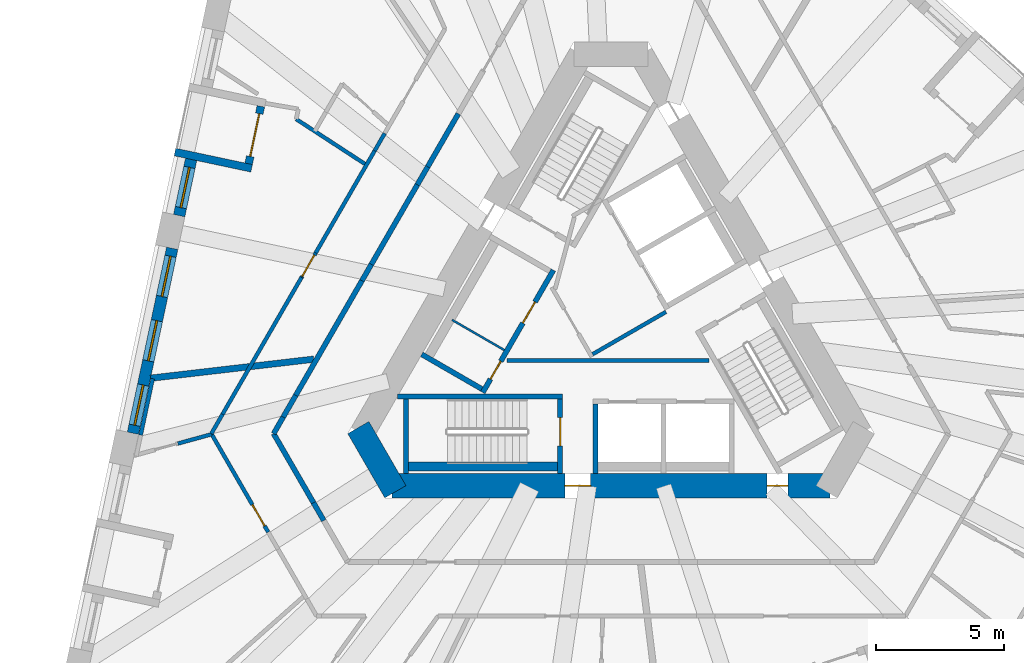
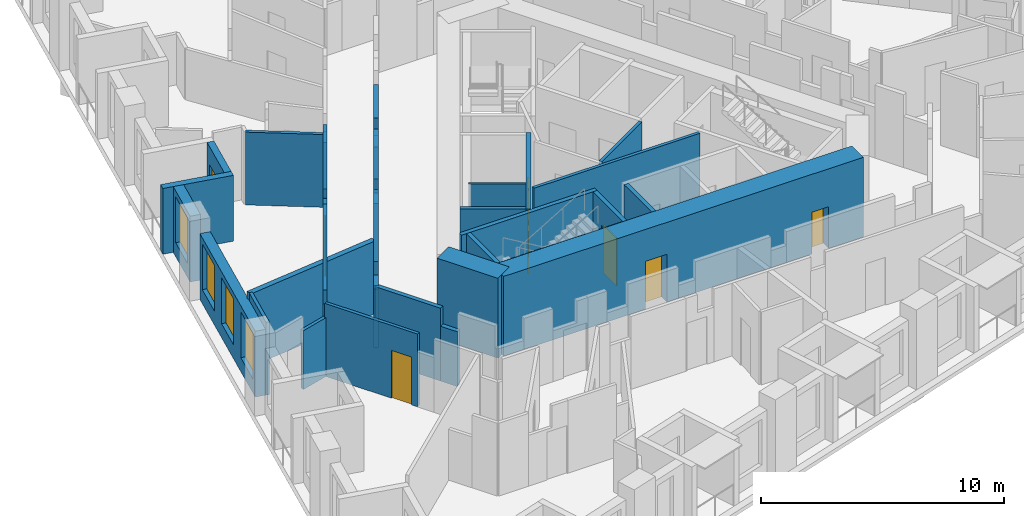
# One storey, part 4 of 13: 35 walls, 8 doors, 4 windows, 12 openings.
"""IFC4 building model written with IfcOpenShell, lengths in metres."""

import ifcopenshell
import ifcopenshell.guid

model = None  # the IFC model being written
_history = None  # IfcOwnerHistory: only IFC2X3 demands one
_inside = {}  # id of a spatial element -> (the spatial element, [elements in it])
_under = {}  # id of a project, library or spatial element -> (it, [spatial elements below it])
_declared = {}  # id of a project -> (the project, [libraries it declares])
_typed = {}  # id of a type object -> (the type object, [elements of that type])
_made_of = {}  # id of a material, layer set ... -> (it, [elements and type objects made of it])


def new_model(schema):
    """Start an empty IFC model of exactly this schema.

    Asked for "IFC4X3", IfcOpenShell would pick the latest addendum, in which some entities
    have other attributes; the version numbers below select the first issue.
    IFC2X3 requires an IfcOwnerHistory on every rooted entity: one is made here for all.
    """
    global model, _history
    if schema == "IFC4X3":
        model = ifcopenshell.file(schema_version=(4, 3, 0, 0))
    else:
        model = ifcopenshell.file(schema=schema)
    _inside.clear()
    _under.clear()
    _declared.clear()
    _typed.clear()
    _made_of.clear()
    _history = None
    if model.schema == "IFC2X3":
        org = make("IfcOrganization", Name="unknown")
        user = make(
            "IfcPersonAndOrganization",
            ThePerson=make("IfcPerson", FamilyName="unknown"),
            TheOrganization=org,
        )
        app = make(
            "IfcApplication",
            ApplicationDeveloper=org,
            Version="unknown",
            ApplicationFullName="unknown",
            ApplicationIdentifier="unknown",
        )
        _history = make(
            "IfcOwnerHistory",
            OwningUser=user,
            OwningApplication=app,
            ChangeAction="ADDED",
            CreationDate=0,
        )
    return model


def make(cls, **values):
    """One entity of the class cls with the attributes given. An attribute that is None is left unset."""
    return model.create_entity(
        cls, **{name: value for name, value in values.items() if value is not None}
    )


def rooted(cls, **values):
    """An entity with a GlobalId (a new one), such as an element, a storey or a relation."""
    return make(cls, GlobalId=ifcopenshell.guid.new(), OwnerHistory=_history, **values)


def si_unit(unit_type, name, prefix=None):
    """IfcSIUnit, for example si_unit("LENGTHUNIT", "METRE", prefix="MILLI")."""
    return make("IfcSIUnit", UnitType=unit_type, Prefix=prefix, Name=name)


def assignment(units):
    """IfcUnitAssignment: the units of a project."""
    return None if units is None else make("IfcUnitAssignment", Units=units)


def point(xyz):
    """IfcCartesianPoint."""
    return None if xyz is None else make("IfcCartesianPoint", Coordinates=xyz)


def direction(xyz):
    """IfcDirection."""
    return None if xyz is None else make("IfcDirection", DirectionRatios=xyz)


def frame(location, z_axis=None, x_axis=None):
    """IfcAxis2Placement3D, a coordinate frame: its origin and axes. An axis left out is left unset."""
    return make(
        "IfcAxis2Placement3D",
        Location=point(location),
        Axis=direction(z_axis),
        RefDirection=direction(x_axis),
    )


def frame_2d(location, x_axis=None):
    """IfcAxis2Placement2D, a coordinate frame in the plane: its origin and x axis."""
    return make(
        "IfcAxis2Placement2D", Location=point(location), RefDirection=direction(x_axis)
    )


def origin():
    """The frame at (0, 0, 0) with its axes left unset."""
    return frame((0.0, 0.0, 0.0))


def place(relative_to, where):
    """IfcLocalPlacement: puts the frame where relative to a parent placement (None: the world)."""
    return make(
        "IfcLocalPlacement", PlacementRelTo=relative_to, RelativePlacement=where
    )


def context(
    kind, dimensions, precision=None, world=None, true_north=None, identifier=None
):
    """IfcGeometricRepresentationContext, for example the 3D "Model" context."""
    return make(
        "IfcGeometricRepresentationContext",
        ContextIdentifier=identifier,
        ContextType=kind,
        CoordinateSpaceDimension=dimensions,
        Precision=precision,
        WorldCoordinateSystem=world,
        TrueNorth=true_north,
    )


def subcontext(parent, identifier, kind, view, scale=None):
    """IfcGeometricRepresentationSubContext, for example "Body" below "Model"."""
    return make(
        "IfcGeometricRepresentationSubContext",
        ContextIdentifier=identifier,
        ContextType=kind,
        ParentContext=parent,
        TargetScale=scale,
        TargetView=view,
    )


def project(units=None, contexts=None):
    """IfcProject with its units and contexts."""
    return rooted(
        "IfcProject",
        Name="project",
        RepresentationContexts=contexts,
        UnitsInContext=assignment(units),
    )


def spatial(cls, under=None, at=None, **own):
    """A site, building, storey or space (cls), placed at a placement, below another one or the project."""
    s = rooted(cls, ObjectPlacement=at, **own)
    if under is not None:
        _under.setdefault(under.id(), (under, []))[1].append(s)
    return s


def polyline(points):
    """IfcPolyline through the points."""
    return make("IfcPolyline", Points=[point(p) for p in points])


def profile(cls, at=None, kind="AREA", **sizes):
    """A parametric profile (cls). Its sizes go by their IFC names, for example OverallWidth=200.0."""
    return make(cls, ProfileType=kind, Position=at, **sizes)


def rectangle(**sizes):
    """IfcRectangleProfileDef."""
    return profile("IfcRectangleProfileDef", **sizes)


def outline(outer, holes=None, kind="AREA"):
    """IfcArbitraryClosedProfileDef: a profile drawn as a closed curve; with holes, ...WithVoids."""
    if holes is None:
        return make("IfcArbitraryClosedProfileDef", ProfileType=kind, OuterCurve=outer)
    return make(
        "IfcArbitraryProfileDefWithVoids",
        ProfileType=kind,
        OuterCurve=outer,
        InnerCurves=holes,
    )


def extrude(swept, where, along, depth):
    """IfcExtrudedAreaSolid: the profile swept, set in the frame where, extruded along a direction by depth."""
    return make(
        "IfcExtrudedAreaSolid",
        SweptArea=swept,
        Position=where,
        ExtrudedDirection=direction(along),
        Depth=depth,
    )


def shape(context_of_items, identifier, shape_type, items):
    """IfcShapeRepresentation: the items that make up one representation, for example the "Body"."""
    return make(
        "IfcShapeRepresentation",
        ContextOfItems=context_of_items,
        RepresentationIdentifier=identifier,
        RepresentationType=shape_type,
        Items=items,
    )


def material(Name=None, Category=None):
    """IfcMaterial."""
    return make("IfcMaterial", Name=Name, Category=Category)


def layer(
    of_material, thickness, ventilated=None, Name=None, Category=None, Priority=None
):
    """IfcMaterialLayer: one layer of a wall or slab, of a material (None: an air gap)."""
    return make(
        "IfcMaterialLayer",
        Material=of_material,
        LayerThickness=thickness,
        IsVentilated=ventilated,
        Name=Name,
        Category=Category,
        Priority=Priority,
    )


def layer_set(layers, Name=None):
    """IfcMaterialLayerSet."""
    return make("IfcMaterialLayerSet", MaterialLayers=layers, LayerSetName=Name)


def made_of(thing, what):
    """Note that an element or type object is made of a material, layer set ...; save() writes the relation."""
    if what is not None:
        _made_of.setdefault(what.id(), (what, []))[1].append(thing)
    return thing


def type_object(cls, material=None, **own):
    """A type object (cls), such as IfcWallType, which elements share."""
    return made_of(rooted(cls, **own), material)


def element(
    cls,
    number,
    at=None,
    inside=None,
    cuts=None,
    type_object=None,
    material=None,
    context=None,
    identifier="Body",
    shape_type=None,
    held_by="IfcProductDefinitionShape",
    body=None,
    shapes=None,
    **own,
):
    """One element of the class cls, such as IfcWall. Its Tag is "e" and its number.

    at: its placement. inside: the storey or other place that contains it. cuts: it is an
    opening in that element (IfcRelVoidsElement). A single representation is given by context,
    identifier, shape_type and body (its items); several are given by shapes. held_by: the class
    of the entity that holds the representations. save() writes the other relations.
    """
    e = rooted(cls, Tag="e%d" % number, ObjectPlacement=at, **own)
    if body is not None:
        shapes = [shape(context, identifier, shape_type, body)]
    if shapes is not None:
        e.Representation = make(held_by, Representations=shapes)
    if inside is not None:
        _inside.setdefault(inside.id(), (inside, []))[1].append(e)
    if cuts is not None:
        rooted(
            "IfcRelVoidsElement", RelatingBuildingElement=cuts, RelatedOpeningElement=e
        )
    if type_object is not None:
        _typed.setdefault(type_object.id(), (type_object, []))[1].append(e)
    return made_of(e, material)


def fill(opening, filler):
    """IfcRelFillsElement: the door or window that sits in an opening."""
    return rooted(
        "IfcRelFillsElement",
        RelatingOpeningElement=opening,
        RelatedBuildingElement=filler,
    )


def aggregate(whole, parts):
    """IfcRelAggregates: a whole, such as a stair, and the parts it consists of."""
    return rooted("IfcRelAggregates", RelatingObject=whole, RelatedObjects=parts)


def save(model, path):
    """Write the relations noted so far, then the file.

    IfcRelAggregates (storeys below a building ...), IfcRelContainedInSpatialStructure (elements
    in a storey), IfcRelDefinesByType, IfcRelAssociatesMaterial and IfcRelDeclares: one each for
    every whole, place, type object, material and project.
    """
    for whole, parts in _under.values():
        aggregate(whole, parts)
    for where, things in _inside.values():
        rooted(
            "IfcRelContainedInSpatialStructure",
            RelatedElements=things,
            RelatingStructure=where,
        )
    for kind, things in _typed.values():
        rooted("IfcRelDefinesByType", RelatedObjects=things, RelatingType=kind)
    for what, things in _made_of.values():
        rooted("IfcRelAssociatesMaterial", RelatedObjects=things, RelatingMaterial=what)
    for by, libraries in _declared.values():
        rooted("IfcRelDeclares", RelatingContext=by, RelatedDefinitions=libraries)
    model.write(path)


model = new_model("IFC4")

# Units and contexts
model_context = context("Model", 3, precision=1e-05, world=origin(), true_north=direction((0.0, 1.0)))
body_context = subcontext(model_context, "Body", "Model", "MODEL_VIEW")
ifc_project = project(units=[si_unit("LENGTHUNIT", "METRE"), si_unit("AREAUNIT", "SQUARE_METRE"), si_unit("VOLUMEUNIT", "CUBIC_METRE"), si_unit("PLANEANGLEUNIT", "RADIAN"), si_unit("MASSUNIT", "GRAM", prefix="KILO")], contexts=[model_context])

# Site, building, storey
site_placement = place(None, origin())
site = spatial("IfcSite", under=ifc_project, at=site_placement, CompositionType="ELEMENT")
building_placement = place(site_placement, origin())
building = spatial("IfcBuilding", under=site, at=building_placement, Name="Tramontana Tower", CompositionType="ELEMENT")
storey_placement = place(building_placement, frame((0.0, 0.0, 104.39990234375)))
storey = spatial("IfcBuildingStorey", under=building, at=storey_placement, Name="L23", CompositionType="ELEMENT", Elevation=104.39990234375)

# Wall
ifc_material_1 = material(Name="Concrete 70 MPa", Category="concrete")
ifc_layer_1 = layer(ifc_material_1, 0.949951171875)
ifc_layer_set_1 = layer_set([ifc_layer_1], Name="Core wall 950 70 MPa")
wall_type_1 = type_object("IfcWallType", Name="Core wall 950 70 MPa", PredefinedType="SHEAR", material=ifc_layer_set_1)
wall_1_placement = place(storey_placement, frame((-9.836669921875, -4.012451171875, 0.0), z_axis=(0.0, 0.0, 1.0), x_axis=(0.499995765644, -0.866027848477, 0.0)))
element("IfcWall", 1, at=wall_1_placement, inside=storey, type_object=wall_type_1, Name="Core wall C2 L23", PredefinedType="SHEAR", context=body_context, shape_type="SweptSolid", body=[
    extrude(rectangle(XDim=2.88671875, YDim=0.949951171875, at=frame_2d((1.443359375, 0.0))), origin(), (0.0, 0.0, 1.0), 4.0),
])

# Wall, openings, doors
wall_2_placement = place(storey_placement, frame((-8.530517578125, -6.27490234375, 0.0), z_axis=(0.0, 0.0, 1.0), x_axis=(1.0, 0.0, 0.0)))
wall_2 = element("IfcWall", 2, at=wall_2_placement, inside=storey, type_object=wall_type_1, Name="Core wall C3 L23", PredefinedType="SHEAR", context=body_context, shape_type="SweptSolid", body=[
    extrude(rectangle(XDim=17.06103515625, YDim=0.949951171875, at=frame_2d((8.530517578125, 0.0))), origin(), (0.0, 0.0, 1.0), 4.0),
])
opening_1_placement = place(wall_2_placement, frame((6.7353515625, 0.0, 0.0)))
opening_1 = element("IfcOpeningElement", 3, at=opening_1_placement, cuts=wall_2, Name="Opening RG2", PredefinedType="OPENING", context=body_context, shape_type="SweptSolid", body=[
    extrude(rectangle(XDim=1.0, YDim=2.39990234375, at=frame_2d((0.5, 1.199951171875))), frame((0.0, 0.48486328125, 0.0), z_axis=(0.0, -1.0, 0.0), x_axis=(1.0, 0.0, 0.0)), (0.0, 0.0, 1.0), 0.969970703125),
])
opening_2_placement = place(wall_2_placement, frame((14.61279296875, 0.0, 0.0)))
opening_2 = element("IfcOpeningElement", 4, at=opening_2_placement, cuts=wall_2, Name="Opening PD2", PredefinedType="OPENING", context=body_context, shape_type="SweptSolid", body=[
    extrude(rectangle(XDim=0.800048828125, YDim=2.10009765625, at=frame_2d((0.39990234375, 1.050048828125))), frame((0.0, 0.48486328125, 0.0), z_axis=(0.0, -1.0, 0.0), x_axis=(1.0, 0.0, 0.0)), (0.0, 0.0, 1.0), 0.969970703125),
])
ifc_material_2 = material(Name="Painted steel", Category="steel")
door_type_1 = type_object("IfcDoorType", Name="CUPBOARD DOOR 800", OperationType="SINGLE_SWING_LEFT", PredefinedType="DOOR", material=ifc_material_2)
door_1_placement = place(opening_2_placement, origin())
door_1 = element("IfcDoor", 5, at=door_1_placement, inside=storey, type_object=door_type_1, Name="Door PD2", OperationType="SINGLE_SWING_LEFT", OverallHeight=2.10009765625, OverallWidth=0.800048828125, PredefinedType="DOOR", context=body_context, shape_type="SweptSolid", body=[
    extrude(rectangle(XDim=0.800048828125, YDim=2.10009765625, at=frame_2d((0.39990234375, 1.050048828125))), frame((0.0, 0.02490234375, 0.0), z_axis=(0.0, -1.0, 0.0), x_axis=(1.0, 0.0, 0.0)), (0.0, 0.0, 1.0), 0.050048828125),
])
fill(opening_2, door_1)
ifc_material_3 = material(Name="Painted steel", Category="steel")
door_type_2 = type_object("IfcDoorType", Name="RING DOOR 1000", OperationType="SINGLE_SWING_LEFT", PredefinedType="DOOR", material=ifc_material_3)
door_2_placement = place(opening_1_placement, origin())
door_2 = element("IfcDoor", 6, at=door_2_placement, inside=storey, type_object=door_type_2, Name="Door RG2", OperationType="SINGLE_SWING_LEFT", OverallHeight=2.39990234375, OverallWidth=1.0, PredefinedType="DOOR", context=body_context, shape_type="SweptSolid", body=[
    extrude(rectangle(XDim=1.0, YDim=2.39990234375, at=frame_2d((0.5, 1.199951171875))), frame((0.0, 0.02490234375, 0.0), z_axis=(0.0, -1.0, 0.0), x_axis=(1.0, 0.0, 0.0)), (0.0, 0.0, 1.0), 0.050048828125),
])
fill(opening_1, door_2)

# Walls
ifc_material_4 = material(Name="Blockwork", Category="masonry")
ifc_layer_2 = layer(ifc_material_4, 0.199951171875)
ifc_layer_set_2 = layer_set([ifc_layer_2], Name="ENTRY WALL 200")
wall_type_2 = type_object("IfcWallType", Name="ENTRY WALL 200", PredefinedType="SOLIDWALL", material=ifc_layer_set_2)
wall_3_placement = place(storey_placement, frame((-11.181884765625, -7.63232421875, 0.0), z_axis=(0.0, 0.0, 1.0), x_axis=(-0.499942357345, 0.866058681229, 0.0)))
element("IfcWall", 7, at=wall_3_placement, inside=storey, type_object=wall_type_2, Name="Wall v21-ew3-2", PredefinedType="SOLIDWALL", context=body_context, shape_type="SweptSolid", body=[
    extrude(rectangle(XDim=0.80078125, YDim=0.199951171875, at=frame_2d((0.400390625, 0.0))), origin(), (0.0, 0.0, 1.0), 2.75),
])
wall_4_placement = place(storey_placement, frame((-11.582275390625, -6.938720703125, 0.0), z_axis=(0.0, 0.0, 1.0), x_axis=(-0.500037831766, 0.866003560503, 0.0)))
element("IfcWall", 8, at=wall_4_placement, inside=storey, type_object=wall_type_2, Name="Wall v21-ew3-3", PredefinedType="SOLIDWALL", context=body_context, shape_type="SweptSolid", body=[
    extrude(rectangle(XDim=3.104736328125, YDim=0.199951171875, at=frame_2d((1.55224609375, 0.0))), origin(), (0.0, 0.0, 1.0), 3.650146484375),
])
wall_5_placement = place(storey_placement, frame((-13.134765625, -4.25, 0.0), z_axis=(0.0, 0.0, 1.0), x_axis=(0.499987686533, 0.866032512851, 0.0)))
element("IfcWall", 9, at=wall_5_placement, inside=storey, type_object=wall_type_2, Name="Wall v21-ew4-0", PredefinedType="SOLIDWALL", context=body_context, shape_type="SweptSolid", body=[
    extrude(rectangle(XDim=0.74365234375, YDim=0.199951171875, at=frame_2d((0.371826171875, 0.0))), origin(), (0.0, 0.0, 1.0), 3.650146484375),
])
wall_6_placement = place(storey_placement, frame((-12.762939453125, -3.60595703125, 0.0), z_axis=(0.0, 0.0, 1.0), x_axis=(0.500061185694, 0.865990075325, 0.0)))
element("IfcWall", 10, at=wall_6_placement, inside=storey, type_object=wall_type_2, Name="Wall v21-ew4-1", PredefinedType="SOLIDWALL", context=body_context, shape_type="SweptSolid", body=[
    extrude(rectangle(XDim=0.9775390625, YDim=0.199951171875, at=frame_2d((0.48876953125, 0.0))), origin(), (0.0, 0.0, 1.0), 2.9501953125),
])
wall_7_placement = place(storey_placement, frame((-12.274169921875, -2.759521484375, 0.0), z_axis=(0.0, 0.0, 1.0), x_axis=(0.500001317485, 0.866024643133, 0.0)))
element("IfcWall", 11, at=wall_7_placement, inside=storey, type_object=wall_type_2, Name="Wall v21-ew4-2", PredefinedType="SOLIDWALL", context=body_context, shape_type="SweptSolid", body=[
    extrude(rectangle(XDim=5.1533203125, YDim=0.199951171875, at=frame_2d((2.57666015625, 0.0))), origin(), (0.0, 0.0, 1.0), 3.650146484375),
])
wall_8_placement = place(storey_placement, frame((-9.697509765625, 1.703369140625, 0.0), z_axis=(0.0, 0.0, 1.0), x_axis=(0.499885169746, 0.866091690913, 0.0)))
element("IfcWall", 12, at=wall_8_placement, inside=storey, type_object=wall_type_2, Name="Wall v21-ew4-3", PredefinedType="SOLIDWALL", context=body_context, shape_type="SweptSolid", body=[
    extrude(rectangle(XDim=0.736083984375, YDim=0.199951171875, at=frame_2d((0.3681640625, 0.0))), origin(), (0.0, 0.0, 1.0), 2.9501953125),
])
wall_9_placement = place(storey_placement, frame((-9.32958984375, 2.3408203125, 0.0), z_axis=(0.0, 0.0, 1.0), x_axis=(0.500029679218, 0.866008267802, 0.0)))
element("IfcWall", 13, at=wall_9_placement, inside=storey, type_object=wall_type_2, Name="Wall v21-ew4-4", PredefinedType="SOLIDWALL", context=body_context, shape_type="SweptSolid", body=[
    extrude(rectangle(XDim=3.576904296875, YDim=0.199951171875, at=frame_2d((1.78857421875, 0.0))), origin(), (0.0, 0.0, 1.0), 3.650146484375),
])
wall_10_placement = place(storey_placement, frame((-7.541015625, 5.4384765625, 0.0), z_axis=(0.0, 0.0, 1.0), x_axis=(0.499809598504, 0.866135304236, 0.0)))
element("IfcWall", 14, at=wall_10_placement, inside=storey, type_object=wall_type_2, Name="Wall v21-ew4-5", PredefinedType="SOLIDWALL", context=body_context, shape_type="SweptSolid", body=[
    extrude(rectangle(XDim=0.808349609375, YDim=0.199951171875, at=frame_2d((0.404296875, 0.0))), origin(), (0.0, 0.0, 1.0), 2.75),
])
wall_11_placement = place(storey_placement, frame((-7.136962890625, 6.138671875, 0.0), z_axis=(0.0, 0.0, 1.0), x_axis=(0.500035462246, 0.866004928679, 0.0)))
element("IfcWall", 15, at=wall_11_placement, inside=storey, type_object=wall_type_2, Name="Wall v21-ew4-6", PredefinedType="SOLIDWALL", context=body_context, shape_type="SweptSolid", body=[
    extrude(rectangle(XDim=2.385498046875, YDim=0.199951171875, at=frame_2d((1.19287109375, 0.0))), origin(), (0.0, 0.0, 1.0), 3.650146484375),
])

# Wall, opening, window
ifc_material_5 = material(Name="Precast concrete 60 MPa", Category="concrete")
ifc_layer_3 = layer(ifc_material_5, 0.449951171875)
ifc_layer_set_3 = layer_set([ifc_layer_3], Name="Precast concrete 60 MPa, 450 mm")
wall_type_3 = type_object("IfcWallType", Name="EW1 Stone-faced precast wall 450", PredefinedType="SOLIDWALL", material=ifc_layer_set_3)
wall_12_placement = place(storey_placement, frame((-16.34619140625, 6.42578125, 0.0), z_axis=(0.0, 0.0, 1.0), x_axis=(-0.207918801611, -0.978146089261, 0.0)))
wall_12 = element("IfcWall", 16, at=wall_12_placement, inside=storey, type_object=wall_type_3, Name="External wall L23 face 0 bay 3", PredefinedType="SOLIDWALL", context=body_context, shape_type="SweptSolid", body=[
    extrude(rectangle(XDim=2.23681640625, YDim=0.449951171875, at=frame_2d((1.118408203125, 0.0))), origin(), (0.0, 0.0, 1.0), 3.300048828125),
])
opening_3_placement = place(wall_12_placement, frame((0.318359375, 0.0, 0.699951171875)))
opening_3 = element("IfcOpeningElement", 17, at=opening_3_placement, cuts=wall_12, Name="Opening M1", PredefinedType="OPENING", context=body_context, shape_type="SweptSolid", body=[
    extrude(rectangle(XDim=1.60009765625, YDim=2.300048828125, at=frame_2d((0.800048828125, 1.14990234375))), frame((0.0, 0.23486328125, 0.0), z_axis=(0.0, -1.0, 0.0), x_axis=(1.0, 0.0, 0.0)), (0.0, 0.0, 1.0), 0.469970703125),
])
ifc_material_6 = material(Name="Aluminum frame, double glazing unit", Category="aluminium")
window_type = type_object("IfcWindowType", Name="M1 Window 1.6 x 2.3", PartitioningType="SINGLE_PANEL", PredefinedType="WINDOW", material=ifc_material_6)
window_1_placement = place(opening_3_placement, origin())
window_1 = element("IfcWindow", 18, at=window_1_placement, inside=storey, type_object=window_type, Name="Window M1 L23 face 0 module 9", OverallHeight=2.300048828125, OverallWidth=1.60009765625, PartitioningType="SINGLE_PANEL", PredefinedType="WINDOW", context=body_context, shape_type="SweptSolid", body=[
    extrude(rectangle(XDim=1.60009765625, YDim=2.300048828125, at=frame_2d((0.800048828125, 1.14990234375))), frame((0.0, 0.030029296875, 0.0), z_axis=(0.0, -1.0, 0.0), x_axis=(1.0, 0.0, 0.0)), (0.0, 0.0, 1.0), 0.06005859375),
])
fill(opening_3, window_1)

# Wall, openings, windows
wall_13_placement = place(storey_placement, frame((-17.08154296875, 2.96630859375, 0.0), z_axis=(0.0, 0.0, 1.0), x_axis=(-0.207909137741, -0.978148143403, 0.0)))
wall_13 = element("IfcWall", 19, at=wall_13_placement, inside=storey, type_object=wall_type_3, Name="External wall L23 face 0 bay 4", PredefinedType="SOLIDWALL", context=body_context, shape_type="SweptSolid", body=[
    extrude(rectangle(XDim=7.3603515625, YDim=0.449951171875, at=frame_2d((3.68017578125, 0.0))), origin(), (0.0, 0.0, 1.0), 3.300048828125),
])
opening_4_placement = place(wall_13_placement, frame((0.318359375, 0.0, 0.699951171875)))
opening_4 = element("IfcOpeningElement", 20, at=opening_4_placement, cuts=wall_13, Name="Opening M1", PredefinedType="OPENING", context=body_context, shape_type="SweptSolid", body=[
    extrude(rectangle(XDim=1.60009765625, YDim=2.300048828125, at=frame_2d((0.800048828125, 1.14990234375))), frame((0.0, 0.23486328125, 0.0), z_axis=(0.0, -1.0, 0.0), x_axis=(1.0, 0.0, 0.0)), (0.0, 0.0, 1.0), 0.469970703125),
])
opening_5_placement = place(wall_13_placement, frame((2.880126953125, 0.0, 0.699951171875)))
opening_5 = element("IfcOpeningElement", 21, at=opening_5_placement, cuts=wall_13, Name="Opening M1", PredefinedType="OPENING", context=body_context, shape_type="SweptSolid", body=[
    extrude(rectangle(XDim=1.60009765625, YDim=2.300048828125, at=frame_2d((0.800048828125, 1.14990234375))), frame((0.0, 0.23486328125, 0.0), z_axis=(0.0, -1.0, 0.0), x_axis=(1.0, 0.0, 0.0)), (0.0, 0.0, 1.0), 0.469970703125),
])
opening_6_placement = place(wall_13_placement, frame((5.44189453125, 0.0, 0.699951171875)))
opening_6 = element("IfcOpeningElement", 22, at=opening_6_placement, cuts=wall_13, Name="Opening M1", PredefinedType="OPENING", context=body_context, shape_type="SweptSolid", body=[
    extrude(rectangle(XDim=1.60009765625, YDim=2.300048828125, at=frame_2d((0.800048828125, 1.14990234375))), frame((0.0, 0.23486328125, 0.0), z_axis=(0.0, -1.0, 0.0), x_axis=(1.0, 0.0, 0.0)), (0.0, 0.0, 1.0), 0.469970703125),
])
window_2_placement = place(opening_4_placement, origin())
window_2 = element("IfcWindow", 23, at=window_2_placement, inside=storey, type_object=window_type, Name="Window M1 L23 face 0 module 10", OverallHeight=2.300048828125, OverallWidth=1.60009765625, PartitioningType="SINGLE_PANEL", PredefinedType="WINDOW", context=body_context, shape_type="SweptSolid", body=[
    extrude(rectangle(XDim=1.60009765625, YDim=2.300048828125, at=frame_2d((0.800048828125, 1.14990234375))), frame((0.0, 0.030029296875, 0.0), z_axis=(0.0, -1.0, 0.0), x_axis=(1.0, 0.0, 0.0)), (0.0, 0.0, 1.0), 0.06005859375),
])
fill(opening_4, window_2)
window_3_placement = place(opening_5_placement, origin())
window_3 = element("IfcWindow", 24, at=window_3_placement, inside=storey, type_object=window_type, Name="Window M1 L23 face 0 module 11", OverallHeight=2.300048828125, OverallWidth=1.60009765625, PartitioningType="SINGLE_PANEL", PredefinedType="WINDOW", context=body_context, shape_type="SweptSolid", body=[
    extrude(rectangle(XDim=1.60009765625, YDim=2.300048828125, at=frame_2d((0.800048828125, 1.14990234375))), frame((0.0, 0.030029296875, 0.0), z_axis=(0.0, -1.0, 0.0), x_axis=(1.0, 0.0, 0.0)), (0.0, 0.0, 1.0), 0.06005859375),
])
fill(opening_5, window_3)
window_4_placement = place(opening_6_placement, origin())
window_4 = element("IfcWindow", 25, at=window_4_placement, inside=storey, type_object=window_type, Name="Window M1 L23 face 0 module 12", OverallHeight=2.300048828125, OverallWidth=1.60009765625, PartitioningType="SINGLE_PANEL", PredefinedType="WINDOW", context=body_context, shape_type="SweptSolid", body=[
    extrude(rectangle(XDim=1.60009765625, YDim=2.300048828125, at=frame_2d((0.800048828125, 1.14990234375))), frame((0.0, 0.030029296875, 0.0), z_axis=(0.0, -1.0, 0.0), x_axis=(1.0, 0.0, 0.0)), (0.0, 0.0, 1.0), 0.06005859375),
])
fill(opening_6, window_4)

# Wall, opening, door
ifc_material_7 = material(Name="Precast concrete 60 MPa", Category="concrete")
ifc_layer_4 = layer(ifc_material_7, 0.300048828125)
ifc_layer_set_4 = layer_set([ifc_layer_4], Name="LW1 Stone-faced loggia wall 300")
wall_type_4 = type_object("IfcWallType", Name="LW1 Stone-faced loggia wall 300", PredefinedType="SOLIDWALL", material=ifc_layer_set_4)
wall_14_placement = place(storey_placement, frame((-13.632080078125, 8.493408203125, 0.0), z_axis=(0.0, 0.0, 1.0), x_axis=(-0.207866417042, -0.978157222877, 0.0)))
wall_14 = element("IfcWall", 26, at=wall_14_placement, inside=storey, type_object=wall_type_4, Name="Loggia wall L23 G2S0.7", PredefinedType="SOLIDWALL", context=body_context, shape_type="SweptSolid", body=[
    extrude(rectangle(XDim=2.286865234375, YDim=0.300048828125, at=frame_2d((1.1435546875, 0.0))), origin(), (0.0, 0.0, 1.0), 3.300048828125),
])
opening_7_placement = place(wall_14_placement, frame((0.29345703125, 0.0, 0.0)))
opening_7 = element("IfcOpeningElement", 27, at=opening_7_placement, cuts=wall_14, Name="Opening BD-2S0-07", PredefinedType="OPENING", context=body_context, shape_type="SweptSolid", body=[
    extrude(rectangle(XDim=1.699951171875, YDim=2.39990234375, at=frame_2d((0.85009765625, 1.199951171875))), frame((0.0, 0.159912109375, 0.0), z_axis=(0.0, -1.0, 0.0), x_axis=(1.0, 0.0, 0.0)), (0.0, 0.0, 1.0), 0.320068359375),
])
ifc_material_8 = material(Name="Aluminum frame, double glazing unit", Category="aluminium")
door_type_3 = type_object("IfcDoorType", Name="BD1 Sliding door 1.7 x 2.4", OperationType="SLIDING_TO_LEFT", PredefinedType="DOOR", material=ifc_material_8)
door_3_placement = place(opening_7_placement, origin())
door_3 = element("IfcDoor", 28, at=door_3_placement, inside=storey, type_object=door_type_3, Name="Loggia door L23 G2S0.7", OperationType="SLIDING_TO_LEFT", OverallHeight=2.39990234375, OverallWidth=1.699951171875, PredefinedType="DOOR", context=body_context, shape_type="SweptSolid", body=[
    extrude(rectangle(XDim=1.699951171875, YDim=2.39990234375, at=frame_2d((0.85009765625, 1.199951171875))), frame((0.0, 0.02490234375, 0.0), z_axis=(0.0, -1.0, 0.0), x_axis=(1.0, 0.0, 0.0)), (0.0, 0.0, 1.0), 0.050048828125),
])
fill(opening_7, door_3)

# Walls
wall_15_placement = place(storey_placement, frame((-16.975341796875, 6.712890625, 0.0), z_axis=(0.0, 0.0, 1.0), x_axis=(0.978138503145, -0.207954487003, 0.0)))
element("IfcWall", 29, at=wall_15_placement, inside=storey, type_object=wall_type_4, Name="Loggia return L23 G2S0.7b", PredefinedType="SOLIDWALL", context=body_context, shape_type="SweptSolid", body=[
    extrude(rectangle(XDim=3.050048828125, YDim=0.300048828125, at=frame_2d((1.52490234375, 0.0))), origin(), (0.0, 0.0, 1.0), 3.300048828125),
])
ifc_material_9 = material(Name="Gypsum board partition")
ifc_layer_5 = layer(ifc_material_9, 0.14990234375)
ifc_layer_set_5 = layer_set([ifc_layer_5], Name="PARTITION 150")
wall_type_5 = type_object("IfcWallType", Name="PARTITION 150", PredefinedType="PARTITIONING", material=ifc_layer_set_5)
wall_16_placement = place(storey_placement, frame((-0.716796875, -1.15869140625, 0.0), z_axis=(0.0, 0.0, 1.0), x_axis=(0.866008176907, 0.50002983664, 0.0)))
element("IfcWall", 30, at=wall_16_placement, inside=storey, type_object=wall_type_5, Name="Wall ff-end0", PredefinedType="PARTITIONING", context=body_context, shape_type="SweptSolid", body=[
    extrude(rectangle(XDim=3.300048828125, YDim=0.14990234375, at=frame_2d((1.64990234375, 0.0))), origin(), (0.0, 0.0, 1.0), 3.650146484375),
])
wall_17_placement = place(storey_placement, frame((-4.053466796875, -1.39990234375, 0.0), z_axis=(0.0, 0.0, 1.0), x_axis=(1.0, 0.0, 0.0)))
element("IfcWall", 31, at=wall_17_placement, inside=storey, type_object=wall_type_5, Name="Wall hub-cut1", PredefinedType="PARTITIONING", context=body_context, shape_type="SweptSolid", body=[
    extrude(rectangle(XDim=7.8759765625, YDim=0.14990234375, at=frame_2d((3.93798828125, 0.0))), origin(), (0.0, 0.0, 1.0), 3.650146484375),
])
wall_18_placement = place(storey_placement, frame((-18.310546875, -4.30712890625, 0.0), z_axis=(0.0, 0.0, 1.0), x_axis=(0.207888648925, 0.978152498156, 0.0)))
element("IfcWall", 32, at=wall_18_placement, inside=storey, type_object=wall_type_5, Name="Wall v21-pw01-1", PredefinedType="PARTITIONING", context=body_context, shape_type="SweptSolid", body=[
    extrude(rectangle(XDim=2.24658203125, YDim=0.14990234375, at=frame_2d((1.123291015625, 0.0))), origin(), (0.0, 0.0, 1.0), 3.650146484375),
])
wall_19_placement = place(storey_placement, frame((-15.5595703125, -4.25, 0.0), z_axis=(0.0, 0.0, 1.0), x_axis=(0.499884524299, 0.866092063448, 0.0)))
element("IfcWall", 33, at=wall_19_placement, inside=storey, type_object=wall_type_5, Name="Wall v21-pw02-0", PredefinedType="PARTITIONING", context=body_context, shape_type="SweptSolid", body=[
    extrude(rectangle(XDim=0.869384765625, YDim=0.14990234375, at=frame_2d((0.4345703125, 0.0))), origin(), (0.0, 0.0, 1.0), 2.9501953125),
])
wall_20_placement = place(storey_placement, frame((-15.125, -3.4970703125, 0.0), z_axis=(0.0, 0.0, 1.0), x_axis=(0.50000522762, 0.866022385595, 0.0)))
element("IfcWall", 34, at=wall_20_placement, inside=storey, type_object=wall_type_5, Name="Wall v21-pw02-1", PredefinedType="PARTITIONING", context=body_context, shape_type="SweptSolid", body=[
    extrude(rectangle(XDim=6.1533203125, YDim=0.14990234375, at=frame_2d((3.07666015625, 0.0))), origin(), (0.0, 0.0, 1.0), 3.650146484375),
])

# Wall, opening, door
wall_21_placement = place(storey_placement, frame((-12.04833984375, 1.831787109375, 0.0), z_axis=(0.0, 0.0, 1.0), x_axis=(0.500060373128, 0.865990544537, 0.0)))
wall_21 = element("IfcWall", 35, at=wall_21_placement, inside=storey, type_object=wall_type_5, Name="Wall v21-pw02-2", PredefinedType="PARTITIONING", context=body_context, shape_type="SweptSolid", body=[
    extrude(outline(polyline([(0.0, 0.0), (1.104736328125, 0.0), (1.10498046875, 2.9501953125), (0.395263671875, 2.9501953125), (0.395263671875, 3.650146484375), (0.0, 3.650146484375), (0.0, 0.0)])), frame((0.0, 0.074951171875, 0.0), z_axis=(0.0, -1.0, 0.0), x_axis=(1.0, 0.0, 0.0)), (0.0, 0.0, 1.0), 0.14990234375),
])
opening_8_placement = place(wall_21_placement, frame((0.050048828125, 0.0, 0.0)))
opening_8 = element("IfcOpeningElement", 36, at=opening_8_placement, cuts=wall_21, Name="Opening B2B-07", PredefinedType="OPENING", context=body_context, shape_type="SweptSolid", body=[
    extrude(rectangle(XDim=0.949951171875, YDim=2.39990234375, at=frame_2d((0.47509765625, 1.199951171875))), frame((0.0, 0.0849609375, 0.0), z_axis=(0.0, -1.0, 0.0), x_axis=(1.0, 0.0, 0.0)), (0.0, 0.0, 1.0), 0.169921875),
])
ifc_material_10 = material(Name="Painted timber", Category="wood")
door_type_4 = type_object("IfcDoorType", Name="DOOR ROOM 950", OperationType="SINGLE_SWING_LEFT", PredefinedType="DOOR", material=ifc_material_10)
door_4_placement = place(opening_8_placement, origin())
door_4 = element("IfcDoor", 37, at=door_4_placement, inside=storey, type_object=door_type_4, Name="Door B2B-07", OperationType="SINGLE_SWING_LEFT", OverallHeight=2.39990234375, OverallWidth=0.949951171875, PredefinedType="DOOR", context=body_context, shape_type="SweptSolid", body=[
    extrude(rectangle(XDim=0.949951171875, YDim=2.39990234375, at=frame_2d((0.47509765625, 1.199951171875))), frame((0.0, 0.02490234375, 0.0), z_axis=(0.0, -1.0, 0.0), x_axis=(1.0, 0.0, 0.0)), (0.0, 0.0, 1.0), 0.050048828125),
])
fill(opening_8, door_4)

# Walls
wall_22_placement = place(storey_placement, frame((-11.495849609375, 2.78857421875, 0.0), z_axis=(0.0, 0.0, 1.0), x_axis=(0.499983361514, 0.866035009806, 0.0)))
element("IfcWall", 38, at=wall_22_placement, inside=storey, type_object=wall_type_5, Name="Wall v21-pw02-3", PredefinedType="PARTITIONING", context=body_context, shape_type="SweptSolid", body=[
    extrude(rectangle(XDim=4.590087890625, YDim=0.14990234375, at=frame_2d((2.294921875, 0.0))), origin(), (0.0, 0.0, 1.0), 3.650146484375),
])
wall_23_placement = place(storey_placement, frame((-9.200927734375, 6.763671875, 0.0), z_axis=(0.0, 0.0, 1.0), x_axis=(0.500028278809, 0.866009076391, 0.0)))
element("IfcWall", 39, at=wall_23_placement, inside=storey, type_object=wall_type_5, Name="Wall v21-pw02-4", PredefinedType="PARTITIONING", context=body_context, shape_type="SweptSolid", body=[
    extrude(rectangle(XDim=0.783203125, YDim=0.14990234375, at=frame_2d((0.3916015625, 0.0))), origin(), (0.0, 0.0, 1.0), 2.75),
])
wall_24_placement = place(storey_placement, frame((-15.546142578125, -4.2734375, 0.0), z_axis=(0.0, 0.0, 1.0), x_axis=(-0.964199670379, -0.265177290962, 0.0)))
element("IfcWall", 40, at=wall_24_placement, inside=storey, type_object=wall_type_5, Name="Wall v21-pw03-0", PredefinedType="PARTITIONING", context=body_context, shape_type="SweptSolid", body=[
    extrude(rectangle(XDim=1.363525390625, YDim=0.14990234375, at=frame_2d((0.681640625, 0.0))), origin(), (0.0, 0.0, 1.0), 2.9501953125),
])

# Wall, opening, door
wall_25_placement = place(storey_placement, frame((-13.3466796875, -8.0830078125, 0.0), z_axis=(0.0, 0.0, 1.0), x_axis=(-0.500001098885, 0.866024769342, 0.0)))
wall_25 = element("IfcWall", 41, at=wall_25_placement, inside=storey, type_object=wall_type_5, Name="Wall v21-pw12-3", PredefinedType="PARTITIONING", context=body_context, shape_type="SweptSolid", body=[
    extrude(rectangle(XDim=4.39892578125, YDim=0.14990234375, at=frame_2d((2.199462890625, 0.0))), origin(), (0.0, 0.0, 1.0), 3.650146484375),
])
opening_9_placement = place(wall_25_placement, frame((0.278564453125, 0.0, 0.0)))
opening_9 = element("IfcOpeningElement", 42, at=opening_9_placement, cuts=wall_25, Name="Opening B2B-13", PredefinedType="OPENING", context=body_context, shape_type="SweptSolid", body=[
    extrude(rectangle(XDim=0.949951171875, YDim=2.39990234375, at=frame_2d((0.47509765625, 1.199951171875))), frame((0.0, 0.0849609375, 0.0), z_axis=(0.0, -1.0, 0.0), x_axis=(1.0, 0.0, 0.0)), (0.0, 0.0, 1.0), 0.169921875),
])
door_5_placement = place(opening_9_placement, origin())
door_5 = element("IfcDoor", 43, at=door_5_placement, inside=storey, type_object=door_type_4, Name="Door B2B-13", OperationType="SINGLE_SWING_LEFT", OverallHeight=2.39990234375, OverallWidth=0.949951171875, PredefinedType="DOOR", context=body_context, shape_type="SweptSolid", body=[
    extrude(rectangle(XDim=0.949951171875, YDim=2.39990234375, at=frame_2d((0.47509765625, 1.199951171875))), frame((0.0, 0.02490234375, 0.0), z_axis=(0.0, -1.0, 0.0), x_axis=(1.0, 0.0, 0.0)), (0.0, 0.0, 1.0), 0.050048828125),
])
fill(opening_9, door_5)

# Walls
wall_26_placement = place(storey_placement, frame((-9.583251953125, 6.251220703125, 0.0), z_axis=(0.0, 0.0, 1.0), x_axis=(-0.837599940558, 0.546284119829, 0.0)))
element("IfcWall", 44, at=wall_26_placement, inside=storey, type_object=wall_type_5, Name="Wall v21-pw17", PredefinedType="PARTITIONING", context=body_context, shape_type="SweptSolid", body=[
    extrude(rectangle(XDim=3.1904296875, YDim=0.14990234375, at=frame_2d((1.59521484375, 0.0))), origin(), (0.0, 0.0, 1.0), 3.650146484375),
])
ifc_material_11 = material(Name="Gypsum board partition")
ifc_layer_6 = layer(ifc_material_11, 0.080078125)
ifc_layer_set_6 = layer_set([ifc_layer_6], Name="PARTITION 80")
wall_type_6 = type_object("IfcWallType", Name="PARTITION 80", PredefinedType="PARTITIONING", material=ifc_layer_set_6)
wall_27_placement = place(storey_placement, frame((-4.15478515625, -0.99609375, 0.0), z_axis=(0.0, 0.0, 1.0), x_axis=(-0.866016039709, 0.500016218704, 0.0)))
element("IfcWall", 45, at=wall_27_placement, inside=storey, type_object=wall_type_6, Name="Wall row0-split", PredefinedType="PARTITIONING", context=body_context, shape_type="SweptSolid", body=[
    extrude(rectangle(XDim=2.35009765625, YDim=0.080078125, at=frame_2d((1.175048828125, 0.0))), origin(), (0.0, 0.0, 1.0), 3.650146484375),
])
ifc_material_12 = material(Name="Blockwork", Category="masonry")
ifc_layer_7 = layer(ifc_material_12, 0.25)
ifc_layer_set_7 = layer_set([ifc_layer_7], Name="PARTY WALL 250")
wall_type_7 = type_object("IfcWallType", Name="PARTY WALL 250", PredefinedType="SOLIDWALL", material=ifc_layer_set_7)
wall_28_placement = place(storey_placement, frame((-11.576416015625, -1.35107421875, 0.0), z_axis=(0.0, 0.0, 1.0), x_axis=(-0.993261454143, -0.11589514103, 0.0)))
element("IfcWall", 46, at=wall_28_placement, inside=storey, type_object=wall_type_7, Name="Wall v21-pw10", PredefinedType="SOLIDWALL", context=body_context, shape_type="SweptSolid", body=[
    extrude(rectangle(XDim=6.393310546875, YDim=0.25, at=frame_2d((3.19677734375, 0.0))), origin(), (0.0, 0.0, 1.0), 3.650146484375),
])
ifc_material_13 = material(Name="Concrete 70 MPa", Category="concrete")
ifc_layer_8 = layer(ifc_material_13, 0.35009765625)
ifc_layer_set_8 = layer_set([ifc_layer_8], Name="Concrete 70 MPa, 350 mm")
wall_type_8 = type_object("IfcWallType", Name="RC SHAFT BACK WALL 350", PredefinedType="SOLIDWALL", material=ifc_layer_set_8)
wall_29_placement = place(storey_placement, frame((-8.080078125, -5.52490234375, 0.0), z_axis=(0.0, 0.0, 1.0), x_axis=(1.0, 0.0, 0.0)))
element("IfcWall", 47, at=wall_29_placement, inside=storey, type_object=wall_type_8, Name="Wall st2-back", PredefinedType="SOLIDWALL", context=body_context, shape_type="SweptSolid", body=[
    extrude(rectangle(XDim=6.2001953125, YDim=0.35009765625, at=frame_2d((3.10009765625, 0.0))), origin(), (0.0, 0.0, 1.0), 3.650146484375),
])
ifc_material_14 = material(Name="Concrete 70 MPa", Category="concrete")
ifc_layer_9 = layer(ifc_material_14, 0.199951171875)
ifc_layer_set_9 = layer_set([ifc_layer_9], Name="Concrete 70 MPa, 200 mm")
wall_type_9 = type_object("IfcWallType", Name="RC STAIR AND SHAFT WALL 200", PredefinedType="SOLIDWALL", material=ifc_layer_set_9)
wall_30_placement = place(storey_placement, frame((-8.31396484375, -2.800048828125, 0.0), z_axis=(0.0, 0.0, 1.0), x_axis=(1.0, 0.0, 0.0)))
element("IfcWall", 48, at=wall_30_placement, inside=storey, type_object=wall_type_9, Name="Wall st2-front", PredefinedType="SOLIDWALL", context=body_context, shape_type="SweptSolid", body=[
    extrude(rectangle(XDim=6.43408203125, YDim=0.199951171875, at=frame_2d((3.217041015625, 0.0))), origin(), (0.0, 0.0, 1.0), 3.650146484375),
])
wall_31_placement = place(storey_placement, frame((-7.97998046875, -2.89990234375, 0.0), z_axis=(0.0, 0.0, 1.0), x_axis=(0.0, -1.0, 0.0)))
element("IfcWall", 49, at=wall_31_placement, inside=storey, type_object=wall_type_9, Name="Wall st2-far", PredefinedType="SOLIDWALL", context=body_context, shape_type="SweptSolid", body=[
    extrude(rectangle(XDim=2.900146484375, YDim=0.199951171875, at=frame_2d((1.4501953125, 0.0))), origin(), (0.0, 0.0, 1.0), 3.650146484375),
])

# Wall, opening, door
wall_32_placement = place(storey_placement, frame((-1.97998046875, -2.89990234375, 0.0), z_axis=(0.0, 0.0, 1.0), x_axis=(0.0, -1.0, 0.0)))
wall_32 = element("IfcWall", 50, at=wall_32_placement, inside=storey, type_object=wall_type_9, Name="Wall st2-near", PredefinedType="SOLIDWALL", context=body_context, shape_type="SweptSolid", body=[
    extrude(rectangle(XDim=2.900146484375, YDim=0.199951171875, at=frame_2d((1.4501953125, 0.0))), origin(), (0.0, 0.0, 1.0), 3.650146484375),
])
opening_10_placement = place(wall_32_placement, frame((0.72509765625, 0.0, 0.0)))
opening_10 = element("IfcOpeningElement", 51, at=opening_10_placement, cuts=wall_32, Name="Opening SD2", PredefinedType="OPENING", context=body_context, shape_type="SweptSolid", body=[
    extrude(rectangle(XDim=1.10009765625, YDim=2.39990234375, at=frame_2d((0.550048828125, 1.199951171875))), frame((0.0, 0.10986328125, 0.0), z_axis=(0.0, -1.0, 0.0), x_axis=(1.0, 0.0, 0.0)), (0.0, 0.0, 1.0), 0.219970703125),
])
ifc_material_15 = material(Name="Painted steel", Category="steel")
door_type_5 = type_object("IfcDoorType", Name="STAIR DOOR 1100", OperationType="SINGLE_SWING_LEFT", PredefinedType="DOOR", material=ifc_material_15)
door_6_placement = place(opening_10_placement, origin())
door_6 = element("IfcDoor", 52, at=door_6_placement, inside=storey, type_object=door_type_5, Name="Door SD2", OperationType="SINGLE_SWING_LEFT", OverallHeight=2.39990234375, OverallWidth=1.10009765625, PredefinedType="DOOR", context=body_context, shape_type="SweptSolid", body=[
    extrude(rectangle(XDim=1.10009765625, YDim=2.39990234375, at=frame_2d((0.550048828125, 1.199951171875))), frame((0.0, 0.02490234375, 0.0), z_axis=(0.0, -1.0, 0.0), x_axis=(1.0, 0.0, 0.0)), (0.0, 0.0, 1.0), 0.050048828125),
])
fill(opening_10, door_6)

# Wall, openings, doors
wall_33_placement = place(storey_placement, frame((-4.9931640625, -2.648193359375, 0.0), z_axis=(0.0, 0.0, 1.0), x_axis=(0.499996545922, 0.866027397988, 0.0)))
wall_33 = element("IfcWall", 53, at=wall_33_placement, inside=storey, type_object=wall_type_9, Name="Wall row0-front", PredefinedType="SOLIDWALL", context=body_context, shape_type="SweptSolid", body=[
    extrude(rectangle(XDim=5.5, YDim=0.199951171875, at=frame_2d((2.75, 0.0))), origin(), (0.0, 0.0, 1.0), 3.650146484375),
])
opening_11_placement = place(wall_33_placement, frame((3.1201171875, 0.0, 0.0)))
opening_11 = element("IfcOpeningElement", 54, at=opening_11_placement, cuts=wall_33, Name="Opening RD-0A", PredefinedType="OPENING", context=body_context, shape_type="SweptSolid", body=[
    extrude(rectangle(XDim=0.949951171875, YDim=2.39990234375, at=frame_2d((0.47509765625, 1.199951171875))), frame((0.0, 0.10986328125, 0.0), z_axis=(0.0, -1.0, 0.0), x_axis=(1.0, 0.0, 0.0)), (0.0, 0.0, 1.0), 0.219970703125),
])
opening_12_placement = place(wall_33_placement, frame((0.60498046875, 0.0, 0.0)))
opening_12 = element("IfcOpeningElement", 55, at=opening_12_placement, cuts=wall_33, Name="Opening RD-0B", PredefinedType="OPENING", context=body_context, shape_type="SweptSolid", body=[
    extrude(rectangle(XDim=0.800048828125, YDim=2.10009765625, at=frame_2d((0.39990234375, 1.050048828125))), frame((0.0, 0.10986328125, 0.0), z_axis=(0.0, -1.0, 0.0), x_axis=(1.0, 0.0, 0.0)), (0.0, 0.0, 1.0), 0.219970703125),
])
door_7_placement = place(opening_12_placement, origin())
door_7 = element("IfcDoor", 56, at=door_7_placement, inside=storey, type_object=door_type_1, Name="Door RD-0B", OperationType="SINGLE_SWING_RIGHT", OverallHeight=2.10009765625, OverallWidth=0.800048828125, PredefinedType="DOOR", context=body_context, shape_type="SweptSolid", body=[
    extrude(rectangle(XDim=0.800048828125, YDim=2.10009765625, at=frame_2d((0.39990234375, 1.050048828125))), frame((0.0, 0.02490234375, 0.0), z_axis=(0.0, -1.0, 0.0), x_axis=(1.0, 0.0, 0.0)), (0.0, 0.0, 1.0), 0.050048828125),
])
fill(opening_12, door_7)
door_8_placement = place(opening_11_placement, origin())
door_8 = element("IfcDoor", 57, at=door_8_placement, inside=storey, type_object=door_type_4, Name="Door RD-0A", OperationType="SINGLE_SWING_LEFT", OverallHeight=2.39990234375, OverallWidth=0.949951171875, PredefinedType="DOOR", context=body_context, shape_type="SweptSolid", body=[
    extrude(rectangle(XDim=0.949951171875, YDim=2.39990234375, at=frame_2d((0.47509765625, 1.199951171875))), frame((0.0, 0.02490234375, 0.0), z_axis=(0.0, -1.0, 0.0), x_axis=(1.0, 0.0, 0.0)), (0.0, 0.0, 1.0), 0.050048828125),
])
fill(opening_11, door_8)

# Walls
for number, where, z_axis, x_axis, name in (
    (58, (-5.02978515625, -2.51171875, 0.0), (0.0, 0.0, 1.0), (-0.86599734893, 0.500048589285, 0.0), "Wall row0-side2"),
    (59, (-0.610107421875, -3.10009765625, 0.0), (0.0, 0.0, 1.0), (0.0, -1.0, 0.0), "Wall row1-side0"),
):
    element("IfcWall", number, at=place(storey_placement, frame(where, z_axis=z_axis, x_axis=x_axis)), inside=storey, type_object=wall_type_9, Name=name, PredefinedType="SOLIDWALL", context=body_context, shape_type="SweptSolid", body=[
        extrude(rectangle(XDim=2.699951171875, YDim=0.199951171875, at=frame_2d((1.35009765625, 0.0))), origin(), (0.0, 0.0, 1.0), 3.650146484375),
    ])

save(model, "model.ifc")
